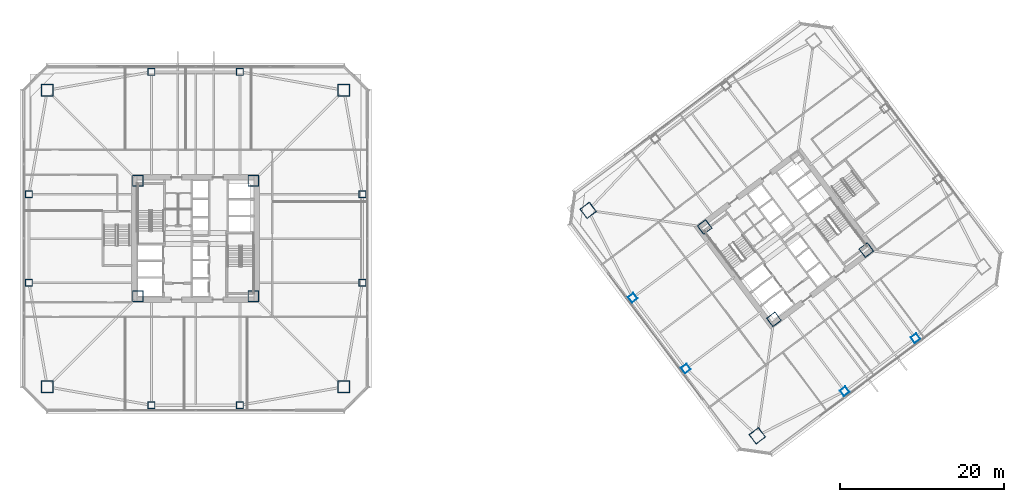
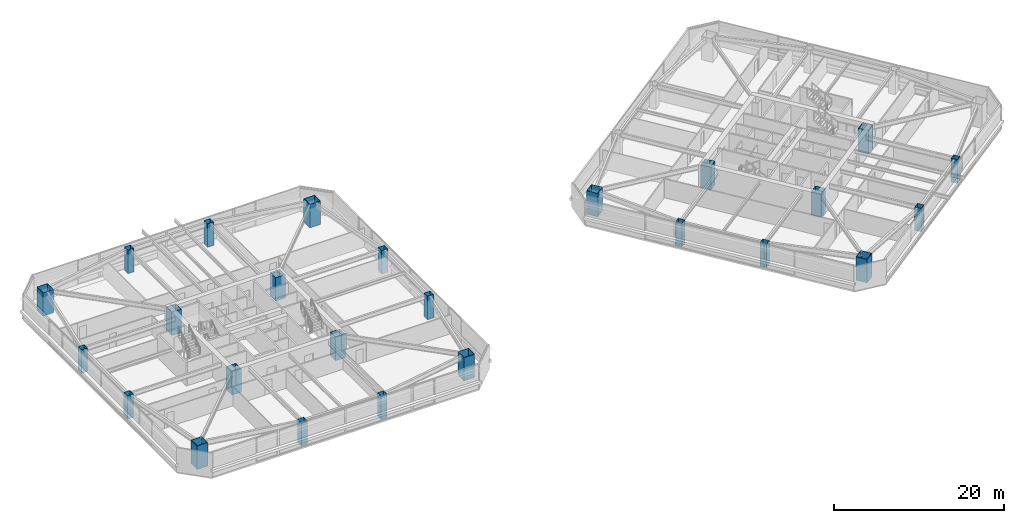
# One storey, part 1 of 44: 25 columns.
"""IFC4 building model written with IfcOpenShell, lengths in metres."""

import ifcopenshell
import ifcopenshell.guid

model = None  # the IFC model being written
_history = None  # IfcOwnerHistory: only IFC2X3 demands one
_inside = {}  # id of a spatial element -> (the spatial element, [elements in it])
_under = {}  # id of a project, library or spatial element -> (it, [spatial elements below it])
_declared = {}  # id of a project -> (the project, [libraries it declares])
_typed = {}  # id of a type object -> (the type object, [elements of that type])
_made_of = {}  # id of a material, layer set ... -> (it, [elements and type objects made of it])


def new_model(schema):
    """Start an empty IFC model of exactly this schema.

    Asked for "IFC4X3", IfcOpenShell would pick the latest addendum, in which some entities
    have other attributes; the version numbers below select the first issue.
    IFC2X3 requires an IfcOwnerHistory on every rooted entity: one is made here for all.
    """
    global model, _history
    if schema == "IFC4X3":
        model = ifcopenshell.file(schema_version=(4, 3, 0, 0))
    else:
        model = ifcopenshell.file(schema=schema)
    _inside.clear()
    _under.clear()
    _declared.clear()
    _typed.clear()
    _made_of.clear()
    _history = None
    if model.schema == "IFC2X3":
        org = make("IfcOrganization", Name="unknown")
        user = make(
            "IfcPersonAndOrganization",
            ThePerson=make("IfcPerson", FamilyName="unknown"),
            TheOrganization=org,
        )
        app = make(
            "IfcApplication",
            ApplicationDeveloper=org,
            Version="unknown",
            ApplicationFullName="unknown",
            ApplicationIdentifier="unknown",
        )
        _history = make(
            "IfcOwnerHistory",
            OwningUser=user,
            OwningApplication=app,
            ChangeAction="ADDED",
            CreationDate=0,
        )
    return model


def make(cls, **values):
    """One entity of the class cls with the attributes given. An attribute that is None is left unset."""
    return model.create_entity(
        cls, **{name: value for name, value in values.items() if value is not None}
    )


def rooted(cls, **values):
    """An entity with a GlobalId (a new one), such as an element, a storey or a relation."""
    return make(cls, GlobalId=ifcopenshell.guid.new(), OwnerHistory=_history, **values)


def si_unit(unit_type, name, prefix=None):
    """IfcSIUnit, for example si_unit("LENGTHUNIT", "METRE", prefix="MILLI")."""
    return make("IfcSIUnit", UnitType=unit_type, Prefix=prefix, Name=name)


def assignment(units):
    """IfcUnitAssignment: the units of a project."""
    return None if units is None else make("IfcUnitAssignment", Units=units)


def point(xyz):
    """IfcCartesianPoint."""
    return None if xyz is None else make("IfcCartesianPoint", Coordinates=xyz)


def direction(xyz):
    """IfcDirection."""
    return None if xyz is None else make("IfcDirection", DirectionRatios=xyz)


def frame(location, z_axis=None, x_axis=None):
    """IfcAxis2Placement3D, a coordinate frame: its origin and axes. An axis left out is left unset."""
    return make(
        "IfcAxis2Placement3D",
        Location=point(location),
        Axis=direction(z_axis),
        RefDirection=direction(x_axis),
    )


def frame_2d(location, x_axis=None):
    """IfcAxis2Placement2D, a coordinate frame in the plane: its origin and x axis."""
    return make(
        "IfcAxis2Placement2D", Location=point(location), RefDirection=direction(x_axis)
    )


def origin():
    """The frame at (0, 0, 0) with its axes left unset."""
    return frame((0.0, 0.0, 0.0))


def origin_2d():
    """The frame at (0, 0) in the plane with its x axis left unset."""
    return frame_2d((0.0, 0.0))


def place(relative_to, where):
    """IfcLocalPlacement: puts the frame where relative to a parent placement (None: the world)."""
    return make(
        "IfcLocalPlacement", PlacementRelTo=relative_to, RelativePlacement=where
    )


def context(
    kind, dimensions, precision=None, world=None, true_north=None, identifier=None
):
    """IfcGeometricRepresentationContext, for example the 3D "Model" context."""
    return make(
        "IfcGeometricRepresentationContext",
        ContextIdentifier=identifier,
        ContextType=kind,
        CoordinateSpaceDimension=dimensions,
        Precision=precision,
        WorldCoordinateSystem=world,
        TrueNorth=true_north,
    )


def subcontext(parent, identifier, kind, view, scale=None):
    """IfcGeometricRepresentationSubContext, for example "Body" below "Model"."""
    return make(
        "IfcGeometricRepresentationSubContext",
        ContextIdentifier=identifier,
        ContextType=kind,
        ParentContext=parent,
        TargetScale=scale,
        TargetView=view,
    )


def project(units=None, contexts=None):
    """IfcProject with its units and contexts."""
    return rooted(
        "IfcProject",
        Name="project",
        RepresentationContexts=contexts,
        UnitsInContext=assignment(units),
    )


def spatial(cls, under=None, at=None, **own):
    """A site, building, storey or space (cls), placed at a placement, below another one or the project."""
    s = rooted(cls, ObjectPlacement=at, **own)
    if under is not None:
        _under.setdefault(under.id(), (under, []))[1].append(s)
    return s


def profile(cls, at=None, kind="AREA", **sizes):
    """A parametric profile (cls). Its sizes go by their IFC names, for example OverallWidth=200.0."""
    return make(cls, ProfileType=kind, Position=at, **sizes)


def hollow_rectangle(**sizes):
    """IfcRectangleHollowProfileDef."""
    return profile("IfcRectangleHollowProfileDef", **sizes)


def extrude(swept, where, along, depth):
    """IfcExtrudedAreaSolid: the profile swept, set in the frame where, extruded along a direction by depth."""
    return make(
        "IfcExtrudedAreaSolid",
        SweptArea=swept,
        Position=where,
        ExtrudedDirection=direction(along),
        Depth=depth,
    )


def shape(context_of_items, identifier, shape_type, items):
    """IfcShapeRepresentation: the items that make up one representation, for example the "Body"."""
    return make(
        "IfcShapeRepresentation",
        ContextOfItems=context_of_items,
        RepresentationIdentifier=identifier,
        RepresentationType=shape_type,
        Items=items,
    )


def material(Name=None, Category=None):
    """IfcMaterial."""
    return make("IfcMaterial", Name=Name, Category=Category)


def material_profile(
    of_material, cross_section, Name=None, Category=None, Priority=None
):
    """IfcMaterialProfile: a cross section and its material."""
    return make(
        "IfcMaterialProfile",
        Name=Name,
        Material=of_material,
        Profile=cross_section,
        Priority=Priority,
        Category=Category,
    )


def profile_set(profiles, Name=None, composite=None):
    """IfcMaterialProfileSet."""
    return make(
        "IfcMaterialProfileSet",
        Name=Name,
        MaterialProfiles=profiles,
        CompositeProfile=composite,
    )


def made_of(thing, what):
    """Note that an element or type object is made of a material, layer set ...; save() writes the relation."""
    if what is not None:
        _made_of.setdefault(what.id(), (what, []))[1].append(thing)
    return thing


def type_object(cls, material=None, **own):
    """A type object (cls), such as IfcWallType, which elements share."""
    return made_of(rooted(cls, **own), material)


def element(
    cls,
    number,
    at=None,
    inside=None,
    cuts=None,
    type_object=None,
    material=None,
    context=None,
    identifier="Body",
    shape_type=None,
    held_by="IfcProductDefinitionShape",
    body=None,
    shapes=None,
    **own,
):
    """One element of the class cls, such as IfcWall. Its Tag is "e" and its number.

    at: its placement. inside: the storey or other place that contains it. cuts: it is an
    opening in that element (IfcRelVoidsElement). A single representation is given by context,
    identifier, shape_type and body (its items); several are given by shapes. held_by: the class
    of the entity that holds the representations. save() writes the other relations.
    """
    e = rooted(cls, Tag="e%d" % number, ObjectPlacement=at, **own)
    if body is not None:
        shapes = [shape(context, identifier, shape_type, body)]
    if shapes is not None:
        e.Representation = make(held_by, Representations=shapes)
    if inside is not None:
        _inside.setdefault(inside.id(), (inside, []))[1].append(e)
    if cuts is not None:
        rooted(
            "IfcRelVoidsElement", RelatingBuildingElement=cuts, RelatedOpeningElement=e
        )
    if type_object is not None:
        _typed.setdefault(type_object.id(), (type_object, []))[1].append(e)
    return made_of(e, material)


def aggregate(whole, parts):
    """IfcRelAggregates: a whole, such as a stair, and the parts it consists of."""
    return rooted("IfcRelAggregates", RelatingObject=whole, RelatedObjects=parts)


def save(model, path):
    """Write the relations noted so far, then the file.

    IfcRelAggregates (storeys below a building ...), IfcRelContainedInSpatialStructure (elements
    in a storey), IfcRelDefinesByType, IfcRelAssociatesMaterial and IfcRelDeclares: one each for
    every whole, place, type object, material and project.
    """
    for whole, parts in _under.values():
        aggregate(whole, parts)
    for where, things in _inside.values():
        rooted(
            "IfcRelContainedInSpatialStructure",
            RelatedElements=things,
            RelatingStructure=where,
        )
    for kind, things in _typed.values():
        rooted("IfcRelDefinesByType", RelatedObjects=things, RelatingType=kind)
    for what, things in _made_of.values():
        rooted("IfcRelAssociatesMaterial", RelatedObjects=things, RelatingMaterial=what)
    for by, libraries in _declared.values():
        rooted("IfcRelDeclares", RelatingContext=by, RelatedDefinitions=libraries)
    model.write(path)


model = new_model("IFC4")

# Units and contexts
model_context = context("Model", 3, precision=1e-05, world=origin(), true_north=direction((0.0, 1.0)))
body_context = subcontext(model_context, "Body", "Model", "MODEL_VIEW")
ifc_project = project(units=[si_unit("LENGTHUNIT", "METRE"), si_unit("AREAUNIT", "SQUARE_METRE"), si_unit("VOLUMEUNIT", "CUBIC_METRE"), si_unit("PLANEANGLEUNIT", "RADIAN"), si_unit("MASSUNIT", "GRAM", prefix="KILO")], contexts=[model_context])

# Site, building, storey
site_placement = place(None, origin())
site = spatial("IfcSite", under=ifc_project, at=site_placement, CompositionType="ELEMENT")
building_placement = place(site_placement, origin())
building = spatial("IfcBuilding", under=site, at=building_placement, Name="Tashvorn Skyway Center", CompositionType="ELEMENT")
storey_placement = place(building_placement, frame((0.0, 0.0, 74.300048828125)))
storey = spatial("IfcBuildingStorey", under=building, at=storey_placement, Name="L19", CompositionType="ELEMENT", Elevation=74.300048828125)

# Columns
ifc_material = material(Name="Steel ASTM A572 Grade 50", Category="steel")
ifc_material_profile_1 = material_profile(ifc_material, hollow_rectangle(XDim=1.300048828125, YDim=1.300048828125, WallThickness=0.050048828125, at=origin_2d()), Name="BOX1300x1300x50")
ifc_profile_set_1 = profile_set([ifc_material_profile_1], Name="Steel ASTM A572 Grade 50")
column_type_1 = type_object("IfcColumnType", Name="COL-BOX1300x1300x50", PredefinedType="COLUMN", material=ifc_profile_set_1)
for number, where, z_axis, x_axis, name in (
    (1, (34.949951171875, 24.949951171875, 0.0), (0.0, 0.0, 1.0), (1.0, 0.0, 0.0), "Tower 1 L19 Core Corner Column CC-SW"),
    (2, (49.050048828125, 24.949951171875, 0.0), (0.0, 0.0, 1.0), (1.0, 0.0, 0.0), "Tower 1 L19 Core Corner Column CC-SE"),
    (3, (49.050048828125, 39.050048828125, 0.0), (0.0, 0.0, 1.0), (1.0, 0.0, 0.0), "Tower 1 L19 Core Corner Column CC-NE"),
    (4, (34.949951171875, 39.050048828125, 0.0), (0.0, 0.0, 1.0), (1.0, 0.0, 0.0), "Tower 1 L19 Core Corner Column CC-NW"),
    (5, (112.590087890625, 22.1298828125, 0.0), (0.0, 0.0, 1.0), (0.799999996291, 0.600000004945, 0.0), "Tower 2 L19 Core Corner Column CC-SW"),
    (6, (123.8701171875, 30.590087890625, 0.0), (0.0, 0.0, 1.0), (0.799999996291, 0.600000004945, 0.0), "Tower 2 L19 Core Corner Column CC-SE"),
    (7, (104.1298828125, 33.409912109375, 0.0), (0.0, 0.0, 1.0), (0.799999996291, 0.600000004945, 0.0), "Tower 2 L19 Core Corner Column CC-NW"),
):
    element("IfcColumn", number, at=place(storey_placement, frame(where, z_axis=z_axis, x_axis=x_axis)), inside=storey, type_object=column_type_1, Name=name, PredefinedType="COLUMN", context=body_context, shape_type="SweptSolid", body=[
        extrude(hollow_rectangle(XDim=1.300048828125, YDim=1.300048828125, WallThickness=0.050048828125, at=origin_2d()), origin(), (0.0, 0.0, 1.0), 3.349853515625),
    ])
ifc_material_profile_2 = material_profile(ifc_material, hollow_rectangle(XDim=1.449951171875, YDim=1.449951171875, WallThickness=0.054931640625, at=origin_2d()), Name="BOX1450x1450x55")
ifc_profile_set_2 = profile_set([ifc_material_profile_2], Name="Steel ASTM A572 Grade 50")
column_type_2 = type_object("IfcColumnType", Name="COL-BOX1450x1450x55", PredefinedType="COLUMN", material=ifc_profile_set_2)
for number, where, z_axis, x_axis, name in (
    (8, (23.89990234375, 13.89990234375, 0.0), (0.0, 0.0, 1.0), (1.0, 0.0, 0.0), "Tower 1 L19 Mega-Column MC-SW"),
    (9, (60.10009765625, 13.89990234375, 0.0), (0.0, 0.0, 1.0), (1.0, 0.0, 0.0), "Tower 1 L19 Mega-Column MC-SE"),
    (10, (60.10009765625, 50.10009765625, 0.0), (0.0, 0.0, 1.0), (1.0, 0.0, 0.0), "Tower 1 L19 Mega-Column MC-NE"),
    (11, (23.89990234375, 50.10009765625, 0.0), (0.0, 0.0, 1.0), (1.0, 0.0, 0.0), "Tower 1 L19 Mega-Column MC-NW"),
    (12, (110.56005859375, 7.919921875, 0.0), (0.0, 0.0, 1.0), (0.799999996291, 0.600000004945, 0.0), "Tower 2 L19 Mega-Column MC-SW"),
    (13, (89.919921875, 35.43994140625, 0.0), (0.0, 0.0, 1.0), (0.799999996291, 0.600000004945, 0.0), "Tower 2 L19 Mega-Column MC-NW"),
):
    element("IfcColumn", number, at=place(storey_placement, frame(where, z_axis=z_axis, x_axis=x_axis)), inside=storey, type_object=column_type_2, Name=name, PredefinedType="COLUMN", context=body_context, shape_type="SweptSolid", body=[
        extrude(hollow_rectangle(XDim=1.449951171875, YDim=1.449951171875, WallThickness=0.054931640625, at=origin_2d()), origin(), (0.0, 0.0, 1.0), 3.349853515625),
    ])
ifc_material_profile_3 = material_profile(ifc_material, hollow_rectangle(XDim=0.85009765625, YDim=0.85009765625, WallThickness=0.034912109375, at=origin_2d()), Name="BOX850x850x35")
ifc_profile_set_3 = profile_set([ifc_material_profile_3], Name="Steel ASTM A572 Grade 50")
column_type_3 = type_object("IfcColumnType", Name="COL-BOX850x850x35", PredefinedType="COLUMN", material=ifc_profile_set_3)
for number, where, z_axis, x_axis, name in (
    (14, (36.60009765625, 11.64990234375, 0.0), (0.0, 0.0, 1.0), (1.0, 0.0, 0.0), "Tower 1 L19 Perimeter Column FC-S1"),
    (15, (47.39990234375, 11.64990234375, 0.0), (0.0, 0.0, 1.0), (1.0, 0.0, 0.0), "Tower 1 L19 Perimeter Column FC-S2"),
    (16, (62.35009765625, 26.60009765625, 0.0), (0.0, 0.0, 1.0), (1.0, 0.0, 0.0), "Tower 1 L19 Perimeter Column FC-E1"),
    (17, (62.35009765625, 37.39990234375, 0.0), (0.0, 0.0, 1.0), (1.0, 0.0, 0.0), "Tower 1 L19 Perimeter Column FC-E2"),
    (18, (47.39990234375, 52.35009765625, 0.0), (0.0, 0.0, 1.0), (1.0, 0.0, 0.0), "Tower 1 L19 Perimeter Column FC-N1"),
    (19, (36.60009765625, 52.35009765625, 0.0), (0.0, 0.0, 1.0), (1.0, 0.0, 0.0), "Tower 1 L19 Perimeter Column FC-N2"),
    (20, (21.64990234375, 37.39990234375, 0.0), (0.0, 0.0, 1.0), (1.0, 0.0, 0.0), "Tower 1 L19 Perimeter Column FC-W1"),
    (21, (21.64990234375, 26.60009765625, 0.0), (0.0, 0.0, 1.0), (1.0, 0.0, 0.0), "Tower 1 L19 Perimeter Column FC-W2"),
    (22, (121.22998046875, 13.360107421875, 0.0), (0.0, 0.0, 1.0), (0.799999996291, 0.600000004945, 0.0), "Tower 2 L19 Perimeter Column FC-S1"),
    (23, (129.8701171875, 19.840087890625, 0.0), (0.0, 0.0, 1.0), (0.799999996291, 0.600000004945, 0.0), "Tower 2 L19 Perimeter Column FC-S2"),
    (24, (95.360107421875, 24.77001953125, 0.0), (0.0, 0.0, 1.0), (0.799999996291, 0.600000004945, 0.0), "Tower 2 L19 Perimeter Column FC-W1"),
    (25, (101.840087890625, 16.1298828125, 0.0), (0.0, 0.0, 1.0), (0.799999996291, 0.600000004945, 0.0), "Tower 2 L19 Perimeter Column FC-W2"),
):
    element("IfcColumn", number, at=place(storey_placement, frame(where, z_axis=z_axis, x_axis=x_axis)), inside=storey, type_object=column_type_3, Name=name, PredefinedType="COLUMN", context=body_context, shape_type="SweptSolid", body=[
        extrude(hollow_rectangle(XDim=0.85009765625, YDim=0.85009765625, WallThickness=0.034912109375, at=origin_2d()), origin(), (0.0, 0.0, 1.0), 3.349853515625),
    ])

save(model, "model.ifc")
